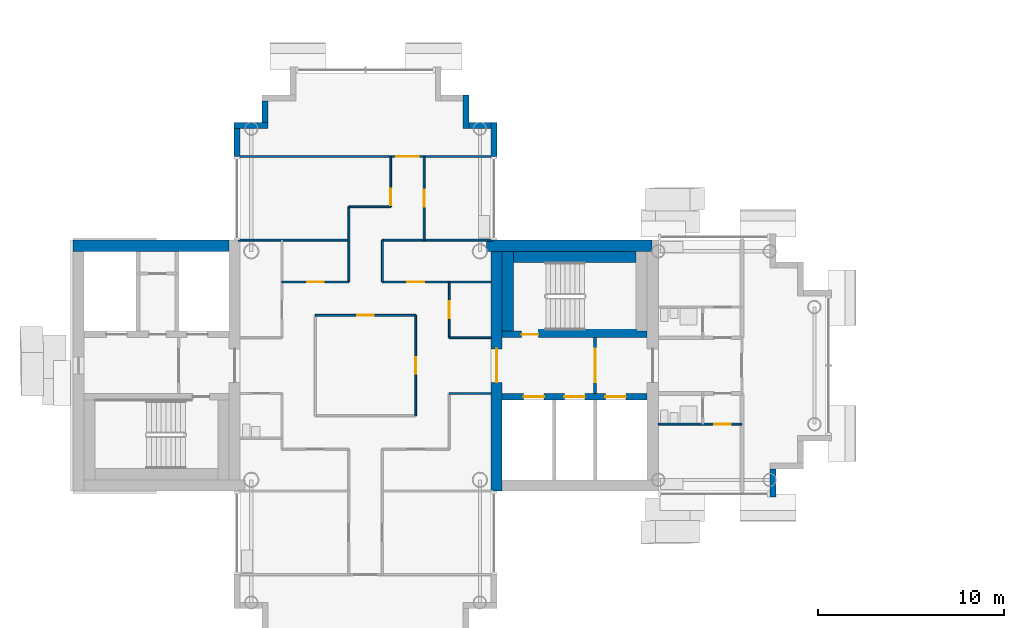
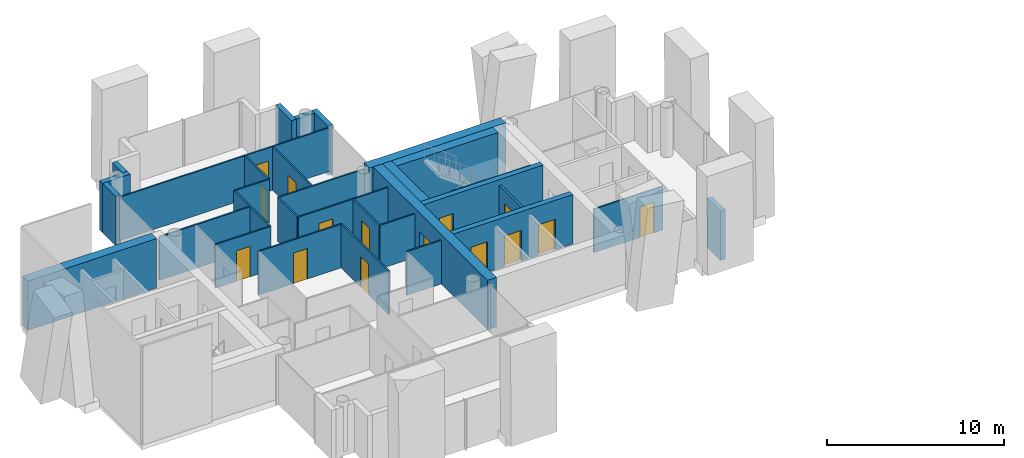
# One storey, part 7 of 18: 32 walls, 15 doors, 15 openings.
"""IFC4 building model written with IfcOpenShell, lengths in metres."""

from ifc_helpers import new_model, si_unit, direction, frame, frame_2d, origin, place, context, subcontext, project, spatial, rectangle, extrude, material, layer, layer_set, type_object, element, fill, save


model = new_model("IFC4")

# Units and contexts
model_context = context("Model", 3, precision=1e-05, world=origin(), true_north=direction((0.0, 1.0)))
body_context = subcontext(model_context, "Body", "Model", "MODEL_VIEW")
ifc_project = project(units=[si_unit("LENGTHUNIT", "METRE"), si_unit("AREAUNIT", "SQUARE_METRE"), si_unit("VOLUMEUNIT", "CUBIC_METRE"), si_unit("PLANEANGLEUNIT", "RADIAN"), si_unit("MASSUNIT", "GRAM", prefix="KILO")], contexts=[model_context])

# Site, building, storey
site_placement = place(None, origin())
site = spatial("IfcSite", under=ifc_project, at=site_placement, CompositionType="ELEMENT")
building_placement = place(site_placement, origin())
building = spatial("IfcBuilding", under=site, at=building_placement, Name="Ipe Terrace Towers", CompositionType="ELEMENT")
storey_placement = place(building_placement, frame((0.0, 0.0, 202.800048828125)))
storey = spatial("IfcBuildingStorey", under=building, at=storey_placement, Name="L56", CompositionType="ELEMENT", Elevation=202.800048828125)

# Walls
ifc_material_1 = material(Name="Concrete C40/50 with buff precast cladding", Category="concrete")
ifc_layer_1 = layer(ifc_material_1, 0.320068359375)
ifc_layer_set_1 = layer_set([ifc_layer_1], Name="BUFF CLADDING WALL 320")
wall_type_1 = type_object("IfcWallType", Name="BUFF CLADDING WALL 320", PredefinedType="STANDARD", material=ifc_layer_set_1)
wall_1_placement = place(storey_placement, frame((-14.090087890625, -7.070068359375, -0.300048828125), z_axis=(0.0, 0.0, 1.0), x_axis=(0.0, 1.0, 0.0)))
element("IfcWall", 1, at=wall_1_placement, inside=storey, type_object=wall_type_1, Name="T1-W-L56-17a wall", PredefinedType="STANDARD", context=body_context, shape_type="SweptSolid", body=[
    extrude(rectangle(XDim=1.5, YDim=0.320068359375, at=frame_2d((0.75, 0.0))), origin(), (0.0, 0.0, 1.0), 3.39990234375),
])
wall_2_placement = place(storey_placement, frame((-29.090087890625, 11.25, -0.300048828125), z_axis=(0.0, 0.0, 1.0), x_axis=(0.0, 1.0, 0.0)))
element("IfcWall", 2, at=wall_2_placement, inside=storey, type_object=wall_type_1, Name="T1-W-L56-29a wall", PredefinedType="STANDARD", context=body_context, shape_type="SweptSolid", body=[
    extrude(rectangle(XDim=1.820068359375, YDim=0.320068359375, at=frame_2d((0.91015625, 0.0))), origin(), (0.0, 0.0, 1.0), 3.39990234375),
])
wall_3_placement = place(storey_placement, frame((-29.25, 12.909912109375, -0.300048828125), z_axis=(0.0, 0.0, 1.0), x_axis=(-1.0, 0.0, 0.0)))
element("IfcWall", 3, at=wall_3_placement, inside=storey, type_object=wall_type_1, Name="T1-W-L56-30a wall", PredefinedType="STANDARD", context=body_context, shape_type="SweptSolid", body=[
    extrude(rectangle(XDim=1.179931640625, YDim=0.320068359375, at=frame_2d((0.58984375, 0.0))), origin(), (0.0, 0.0, 1.0), 3.39990234375),
])
wall_4_placement = place(storey_placement, frame((-30.590087890625, 12.75, -0.300048828125), z_axis=(0.0, 0.0, 1.0), x_axis=(0.0, 1.0, 0.0)))
element("IfcWall", 4, at=wall_4_placement, inside=storey, type_object=wall_type_1, Name="T1-W-L56-31a wall", PredefinedType="STANDARD", context=body_context, shape_type="SweptSolid", body=[
    extrude(rectangle(XDim=1.820068359375, YDim=0.320068359375, at=frame_2d((0.91015625, 0.0))), origin(), (0.0, 0.0, 1.0), 3.39990234375),
])
wall_5_placement = place(storey_placement, frame((-41.409912109375, 14.25, -0.300048828125), z_axis=(0.0, 0.0, 1.0), x_axis=(0.0, -1.0, 0.0)))
element("IfcWall", 5, at=wall_5_placement, inside=storey, type_object=wall_type_1, Name="T1-W-L56-37a wall", PredefinedType="STANDARD", context=body_context, shape_type="SweptSolid", body=[
    extrude(rectangle(XDim=1.179931640625, YDim=0.320068359375, at=frame_2d((0.58984375, 0.0))), origin(), (0.0, 0.0, 1.0), 3.39990234375),
])
wall_6_placement = place(storey_placement, frame((-41.25, 12.909912109375, -0.300048828125), z_axis=(0.0, 0.0, 1.0), x_axis=(-1.0, 0.0, 0.0)))
element("IfcWall", 6, at=wall_6_placement, inside=storey, type_object=wall_type_1, Name="T1-W-L56-38a wall", PredefinedType="STANDARD", context=body_context, shape_type="SweptSolid", body=[
    extrude(rectangle(XDim=1.820068359375, YDim=0.320068359375, at=frame_2d((0.91015625, 0.0))), origin(), (0.0, 0.0, 1.0), 3.39990234375),
])
wall_7_placement = place(storey_placement, frame((-42.909912109375, 12.75, -0.300048828125), z_axis=(0.0, 0.0, 1.0), x_axis=(0.0, -1.0, 0.0)))
element("IfcWall", 7, at=wall_7_placement, inside=storey, type_object=wall_type_1, Name="T1-W-L56-39a wall", PredefinedType="STANDARD", context=body_context, shape_type="SweptSolid", body=[
    extrude(rectangle(XDim=1.5, YDim=0.320068359375, at=frame_2d((0.75, 0.0))), origin(), (0.0, 0.0, 1.0), 3.39990234375),
])
ifc_material_2 = material(Name="Gypsum board partition", Category="plasterboard")
ifc_layer_2 = layer(ifc_material_2, 0.10009765625)
ifc_layer_set_2 = layer_set([ifc_layer_2], Name="Gypsum board partition 100 mm")
wall_type_2 = type_object("IfcWallType", Name="Gypsum board partition 100 mm", PredefinedType="PARTITIONING", material=ifc_layer_set_2)
wall_8_placement = place(storey_placement, frame((-36.89990234375, 4.5, 0.0), z_axis=(0.0, 0.0, 1.0), x_axis=(0.0, 1.0, 0.0)))
element("IfcWall", 8, at=wall_8_placement, inside=storey, type_object=wall_type_2, Name="Gypsum board partition T1 L56 W05", PredefinedType="PARTITIONING", context=body_context, shape_type="SweptSolid", body=[
    extrude(rectangle(XDim=4.050048828125, YDim=0.10009765625, at=frame_2d((2.02490234375, 0.0))), origin(), (0.0, 0.0, 1.0), 3.0),
])
wall_9_placement = place(storey_placement, frame((-35.10009765625, 4.5, 0.0), z_axis=(0.0, 0.0, 1.0), x_axis=(0.0, 1.0, 0.0)))
element("IfcWall", 9, at=wall_9_placement, inside=storey, type_object=wall_type_2, Name="Gypsum board partition T1 L56 W07", PredefinedType="PARTITIONING", context=body_context, shape_type="SweptSolid", body=[
    extrude(rectangle(XDim=2.25, YDim=0.10009765625, at=frame_2d((1.125, 0.0))), origin(), (0.0, 0.0, 1.0), 3.0),
])

# Wall, opening, door
wall_10_placement = place(storey_placement, frame((-34.64990234375, 8.550048828125, 0.0), z_axis=(0.0, 0.0, 1.0), x_axis=(0.0, 1.0, 0.0)))
wall_10 = element("IfcWall", 10, at=wall_10_placement, inside=storey, type_object=wall_type_2, Name="Gypsum board partition T1 L56 W08", PredefinedType="PARTITIONING", context=body_context, shape_type="SweptSolid", body=[
    extrude(rectangle(XDim=2.699951171875, YDim=0.10009765625, at=frame_2d((1.35009765625, 0.0))), origin(), (0.0, 0.0, 1.0), 3.0),
])
opening_1_placement = place(wall_10_placement, frame((0.070068359375, 0.0, 0.0)))
opening_1 = element("IfcOpeningElement", 11, at=opening_1_placement, cuts=wall_10, Name="Opening T1-Z4D-10", PredefinedType="OPENING", context=body_context, shape_type="SweptSolid", body=[
    extrude(rectangle(XDim=0.89990234375, YDim=2.10009765625, at=frame_2d((0.449951171875, 1.050048828125))), frame((0.0, 0.06005859375, 0.0), z_axis=(0.0, -1.0, 0.0), x_axis=(1.0, 0.0, 0.0)), (0.0, 0.0, 1.0), 0.1201171875),
])
ifc_material_3 = material(Name="Timber door leaf", Category="wood")
door_type_1 = type_object("IfcDoorType", Name="Lounge door 900 x 2100", OperationType="NOTDEFINED", PredefinedType="DOOR", material=ifc_material_3)
door_1_placement = place(opening_1_placement, origin())
door_1 = element("IfcDoor", 12, at=door_1_placement, inside=storey, type_object=door_type_1, Name="Lounge door T1-Z4D-10", OperationType="SINGLE_SWING_RIGHT", OverallHeight=2.10009765625, OverallWidth=0.89990234375, PredefinedType="DOOR", context=body_context, shape_type="SweptSolid", body=[
    extrude(rectangle(XDim=0.89990234375, YDim=2.10009765625, at=frame_2d((0.449951171875, 1.050048828125))), frame((0.0, 0.02490234375, 0.0), z_axis=(0.0, -1.0, 0.0), x_axis=(1.0, 0.0, 0.0)), (0.0, 0.0, 1.0), 0.050048828125),
])
fill(opening_1, door_1)

wall_11_placement = place(storey_placement, frame((-33.300048828125, -2.699951171875, 0.0), z_axis=(0.0, 0.0, 1.0), x_axis=(0.0, 1.0, 0.0)))
wall_11 = element("IfcWall", 13, at=wall_11_placement, inside=storey, type_object=wall_type_2, Name="Gypsum board partition T1 L56 W09", PredefinedType="PARTITIONING", context=body_context, shape_type="SweptSolid", body=[
    extrude(rectangle(XDim=5.39990234375, YDim=0.10009765625, at=frame_2d((2.699951171875, 0.0))), origin(), (0.0, 0.0, 1.0), 3.0),
])
opening_2_placement = place(wall_11_placement, frame((2.25, 0.0, 0.0)))
opening_2 = element("IfcOpeningElement", 14, at=opening_2_placement, cuts=wall_11, Name="Opening T1-Z4D-02", PredefinedType="OPENING", context=body_context, shape_type="SweptSolid", body=[
    extrude(rectangle(XDim=0.89990234375, YDim=2.10009765625, at=frame_2d((0.449951171875, 1.050048828125))), frame((0.0, 0.06005859375, 0.0), z_axis=(0.0, -1.0, 0.0), x_axis=(1.0, 0.0, 0.0)), (0.0, 0.0, 1.0), 0.1201171875),
])
door_2_placement = place(opening_2_placement, origin())
door_2 = element("IfcDoor", 15, at=door_2_placement, inside=storey, type_object=door_type_1, Name="Lounge door T1-Z4D-02", OperationType="SINGLE_SWING_LEFT", OverallHeight=2.10009765625, OverallWidth=0.89990234375, PredefinedType="DOOR", context=body_context, shape_type="SweptSolid", body=[
    extrude(rectangle(XDim=0.89990234375, YDim=2.10009765625, at=frame_2d((0.449951171875, 1.050048828125))), frame((0.0, 0.02490234375, 0.0), z_axis=(0.0, -1.0, 0.0), x_axis=(1.0, 0.0, 0.0)), (0.0, 0.0, 1.0), 0.050048828125),
])
fill(opening_2, door_2)

wall_12_placement = place(storey_placement, frame((-32.85009765625, 6.75, 0.0), z_axis=(0.0, 0.0, 1.0), x_axis=(0.0, 1.0, 0.0)))
wall_12 = element("IfcWall", 16, at=wall_12_placement, inside=storey, type_object=wall_type_2, Name="Gypsum board partition T1 L56 W10", PredefinedType="PARTITIONING", context=body_context, shape_type="SweptSolid", body=[
    extrude(rectangle(XDim=4.5, YDim=0.10009765625, at=frame_2d((2.25, 0.0))), origin(), (0.0, 0.0, 1.0), 3.0),
])
opening_3_placement = place(wall_12_placement, frame((1.800048828125, 0.0, 0.0)))
opening_3 = element("IfcOpeningElement", 17, at=opening_3_placement, cuts=wall_12, Name="Opening T1-Z4D-11", PredefinedType="OPENING", context=body_context, shape_type="SweptSolid", body=[
    extrude(rectangle(XDim=0.89990234375, YDim=2.10009765625, at=frame_2d((0.449951171875, 1.050048828125))), frame((0.0, 0.06005859375, 0.0), z_axis=(0.0, -1.0, 0.0), x_axis=(1.0, 0.0, 0.0)), (0.0, 0.0, 1.0), 0.1201171875),
])
door_3_placement = place(opening_3_placement, origin())
door_3 = element("IfcDoor", 18, at=door_3_placement, inside=storey, type_object=door_type_1, Name="Lounge door T1-Z4D-11", OperationType="SINGLE_SWING_RIGHT", OverallHeight=2.10009765625, OverallWidth=0.89990234375, PredefinedType="DOOR", context=body_context, shape_type="SweptSolid", body=[
    extrude(rectangle(XDim=0.89990234375, YDim=2.10009765625, at=frame_2d((0.449951171875, 1.050048828125))), frame((0.0, 0.02490234375, 0.0), z_axis=(0.0, -1.0, 0.0), x_axis=(1.0, 0.0, 0.0)), (0.0, 0.0, 1.0), 0.050048828125),
])
fill(opening_3, door_3)

wall_13_placement = place(storey_placement, frame((-31.5, 1.5, 0.0), z_axis=(0.0, 0.0, 1.0), x_axis=(0.0, 1.0, 0.0)))
wall_13 = element("IfcWall", 19, at=wall_13_placement, inside=storey, type_object=wall_type_2, Name="Gypsum board partition T1 L56 W12", PredefinedType="PARTITIONING", context=body_context, shape_type="SweptSolid", body=[
    extrude(rectangle(XDim=3.0, YDim=0.10009765625, at=frame_2d((1.5, 0.0))), origin(), (0.0, 0.0, 1.0), 3.0),
])
opening_4_placement = place(wall_13_placement, frame((1.050048828125, 0.0, 0.0)))
opening_4 = element("IfcOpeningElement", 20, at=opening_4_placement, cuts=wall_13, Name="Opening T1-Z4D-05", PredefinedType="OPENING", context=body_context, shape_type="SweptSolid", body=[
    extrude(rectangle(XDim=0.89990234375, YDim=2.10009765625, at=frame_2d((0.449951171875, 1.050048828125))), frame((0.0, 0.06005859375, 0.0), z_axis=(0.0, -1.0, 0.0), x_axis=(1.0, 0.0, 0.0)), (0.0, 0.0, 1.0), 0.1201171875),
])
door_4_placement = place(opening_4_placement, origin())
door_4 = element("IfcDoor", 21, at=door_4_placement, inside=storey, type_object=door_type_1, Name="Lounge door T1-Z4D-05", OperationType="SINGLE_SWING_RIGHT", OverallHeight=2.10009765625, OverallWidth=0.89990234375, PredefinedType="DOOR", context=body_context, shape_type="SweptSolid", body=[
    extrude(rectangle(XDim=0.89990234375, YDim=2.10009765625, at=frame_2d((0.449951171875, 1.050048828125))), frame((0.0, 0.02490234375, 0.0), z_axis=(0.0, -1.0, 0.0), x_axis=(1.0, 0.0, 0.0)), (0.0, 0.0, 1.0), 0.050048828125),
])
fill(opening_4, door_4)

wall_14_placement = place(storey_placement, frame((-20.25, -3.14990234375, 0.0), z_axis=(0.0, 0.0, 1.0), x_axis=(1.0, 0.0, 0.0)))
wall_14 = element("IfcWall", 22, at=wall_14_placement, inside=storey, type_object=wall_type_2, Name="Gypsum board partition T1 L56 W24", PredefinedType="PARTITIONING", context=body_context, shape_type="SweptSolid", body=[
    extrude(rectangle(XDim=4.5, YDim=0.10009765625, at=frame_2d((2.25, 0.0))), origin(), (0.0, 0.0, 1.0), 3.0),
])
opening_5_placement = place(wall_14_placement, frame((3.0, 0.0, 0.0)))
opening_5 = element("IfcOpeningElement", 23, at=opening_5_placement, cuts=wall_14, Name="Opening T1-Z4D-20", PredefinedType="OPENING", context=body_context, shape_type="SweptSolid", body=[
    extrude(rectangle(XDim=0.89990234375, YDim=2.10009765625, at=frame_2d((0.449951171875, 1.050048828125))), frame((0.0, 0.06005859375, 0.0), z_axis=(0.0, -1.0, 0.0), x_axis=(1.0, 0.0, 0.0)), (0.0, 0.0, 1.0), 0.1201171875),
])
ifc_material_4 = material(Name="Timber door leaf", Category="wood")
door_type_2 = type_object("IfcDoorType", Name="Bedroom door 900 x 2100", OperationType="NOTDEFINED", PredefinedType="DOOR", material=ifc_material_4)
door_5_placement = place(opening_5_placement, origin())
door_5 = element("IfcDoor", 24, at=door_5_placement, inside=storey, type_object=door_type_2, Name="Bedroom door T1-Z4D-20", OperationType="SINGLE_SWING_RIGHT", OverallHeight=2.10009765625, OverallWidth=0.89990234375, PredefinedType="DOOR", context=body_context, shape_type="SweptSolid", body=[
    extrude(rectangle(XDim=0.89990234375, YDim=2.10009765625, at=frame_2d((0.449951171875, 1.050048828125))), frame((0.0, 0.02490234375, 0.0), z_axis=(0.0, -1.0, 0.0), x_axis=(1.0, 0.0, 0.0)), (0.0, 0.0, 1.0), 0.050048828125),
])
fill(opening_5, door_5)

# Walls
for number, where, z_axis, x_axis, name in (
    (25, (-31.5, -1.5, 0.0), (0.0, 0.0, 1.0), (1.0, 0.0, 0.0), "Gypsum board partition T1 L56 W27"),
    (26, (-31.5, 1.5, 0.0), (0.0, 0.0, 1.0), (1.0, 0.0, 0.0), "Gypsum board partition T1 L56 W30"),
):
    element("IfcWall", number, at=place(storey_placement, frame(where, z_axis=z_axis, x_axis=x_axis)), inside=storey, type_object=wall_type_2, Name=name, PredefinedType="PARTITIONING", context=body_context, shape_type="SweptSolid", body=[
        extrude(rectangle(XDim=2.25, YDim=0.10009765625, at=frame_2d((1.125, 0.0))), origin(), (0.0, 0.0, 1.0), 3.0),
    ])

# Wall, opening, door
wall_15_placement = place(storey_placement, frame((-38.699951171875, 2.699951171875, 0.0), z_axis=(0.0, 0.0, 1.0), x_axis=(1.0, 0.0, 0.0)))
wall_15 = element("IfcWall", 27, at=wall_15_placement, inside=storey, type_object=wall_type_2, Name="Gypsum board partition T1 L56 W32", PredefinedType="PARTITIONING", context=body_context, shape_type="SweptSolid", body=[
    extrude(rectangle(XDim=5.39990234375, YDim=0.10009765625, at=frame_2d((2.699951171875, 0.0))), origin(), (0.0, 0.0, 1.0), 3.0),
])
opening_6_placement = place(wall_15_placement, frame((2.25, 0.0, 0.0)))
opening_6 = element("IfcOpeningElement", 28, at=opening_6_placement, cuts=wall_15, Name="Opening T1-Z4D-01", PredefinedType="OPENING", context=body_context, shape_type="SweptSolid", body=[
    extrude(rectangle(XDim=0.89990234375, YDim=2.10009765625, at=frame_2d((0.449951171875, 1.050048828125))), frame((0.0, 0.06005859375, 0.0), z_axis=(0.0, -1.0, 0.0), x_axis=(1.0, 0.0, 0.0)), (0.0, 0.0, 1.0), 0.1201171875),
])
door_6_placement = place(opening_6_placement, origin())
door_6 = element("IfcDoor", 29, at=door_6_placement, inside=storey, type_object=door_type_1, Name="Lounge door T1-Z4D-01", OperationType="SINGLE_SWING_RIGHT", OverallHeight=2.10009765625, OverallWidth=0.89990234375, PredefinedType="DOOR", context=body_context, shape_type="SweptSolid", body=[
    extrude(rectangle(XDim=0.89990234375, YDim=2.10009765625, at=frame_2d((0.449951171875, 1.050048828125))), frame((0.0, 0.02490234375, 0.0), z_axis=(0.0, -1.0, 0.0), x_axis=(1.0, 0.0, 0.0)), (0.0, 0.0, 1.0), 0.050048828125),
])
fill(opening_6, door_6)

wall_16_placement = place(storey_placement, frame((-40.5, 4.5, 0.0), z_axis=(0.0, 0.0, 1.0), x_axis=(1.0, 0.0, 0.0)))
wall_16 = element("IfcWall", 30, at=wall_16_placement, inside=storey, type_object=wall_type_2, Name="Gypsum board partition T1 L56 W34", PredefinedType="PARTITIONING", context=body_context, shape_type="SweptSolid", body=[
    extrude(rectangle(XDim=3.60009765625, YDim=0.10009765625, at=frame_2d((1.800048828125, 0.0))), origin(), (0.0, 0.0, 1.0), 3.0),
])
opening_7_placement = place(wall_16_placement, frame((1.35009765625, 0.0, 0.0)))
opening_7 = element("IfcOpeningElement", 31, at=opening_7_placement, cuts=wall_16, Name="Opening T1-Z4D-06", PredefinedType="OPENING", context=body_context, shape_type="SweptSolid", body=[
    extrude(rectangle(XDim=0.89990234375, YDim=2.10009765625, at=frame_2d((0.449951171875, 1.050048828125))), frame((0.0, 0.06005859375, 0.0), z_axis=(0.0, -1.0, 0.0), x_axis=(1.0, 0.0, 0.0)), (0.0, 0.0, 1.0), 0.1201171875),
])
door_7_placement = place(opening_7_placement, origin())
door_7 = element("IfcDoor", 32, at=door_7_placement, inside=storey, type_object=door_type_1, Name="Lounge door T1-Z4D-06", OperationType="SINGLE_SWING_RIGHT", OverallHeight=2.10009765625, OverallWidth=0.89990234375, PredefinedType="DOOR", context=body_context, shape_type="SweptSolid", body=[
    extrude(rectangle(XDim=0.89990234375, YDim=2.10009765625, at=frame_2d((0.449951171875, 1.050048828125))), frame((0.0, 0.02490234375, 0.0), z_axis=(0.0, -1.0, 0.0), x_axis=(1.0, 0.0, 0.0)), (0.0, 0.0, 1.0), 0.050048828125),
])
fill(opening_7, door_7)

wall_17_placement = place(storey_placement, frame((-35.10009765625, 4.5, 0.0), z_axis=(0.0, 0.0, 1.0), x_axis=(1.0, 0.0, 0.0)))
wall_17 = element("IfcWall", 33, at=wall_17_placement, inside=storey, type_object=wall_type_2, Name="Gypsum board partition T1 L56 W35", PredefinedType="PARTITIONING", context=body_context, shape_type="SweptSolid", body=[
    extrude(rectangle(XDim=5.85009765625, YDim=0.10009765625, at=frame_2d((2.925048828125, 0.0))), origin(), (0.0, 0.0, 1.0), 3.0),
])
opening_8_placement = place(wall_17_placement, frame((1.35009765625, 0.0, 0.0)))
opening_8 = element("IfcOpeningElement", 34, at=opening_8_placement, cuts=wall_17, Name="Opening T1-Z4D-04", PredefinedType="OPENING", context=body_context, shape_type="SweptSolid", body=[
    extrude(rectangle(XDim=0.89990234375, YDim=2.10009765625, at=frame_2d((0.449951171875, 1.050048828125))), frame((0.0, 0.06005859375, 0.0), z_axis=(0.0, -1.0, 0.0), x_axis=(1.0, 0.0, 0.0)), (0.0, 0.0, 1.0), 0.1201171875),
])
door_8_placement = place(opening_8_placement, origin())
door_8 = element("IfcDoor", 35, at=door_8_placement, inside=storey, type_object=door_type_1, Name="Lounge door T1-Z4D-04", OperationType="SINGLE_SWING_RIGHT", OverallHeight=2.10009765625, OverallWidth=0.89990234375, PredefinedType="DOOR", context=body_context, shape_type="SweptSolid", body=[
    extrude(rectangle(XDim=0.89990234375, YDim=2.10009765625, at=frame_2d((0.449951171875, 1.050048828125))), frame((0.0, 0.02490234375, 0.0), z_axis=(0.0, -1.0, 0.0), x_axis=(1.0, 0.0, 0.0)), (0.0, 0.0, 1.0), 0.050048828125),
])
fill(opening_8, door_8)

# Walls
for number, where, z_axis, x_axis, name in (
    (36, (-42.85009765625, 6.75, 0.0), (0.0, 0.0, 1.0), (1.0, 0.0, 0.0), "Gypsum board partition T1 L56 W36"),
    (37, (-35.10009765625, 6.75, 0.0), (0.0, 0.0, 1.0), (1.0, 0.0, 0.0), "Gypsum board partition T1 L56 W37"),
):
    element("IfcWall", number, at=place(storey_placement, frame(where, z_axis=z_axis, x_axis=x_axis)), inside=storey, type_object=wall_type_2, Name=name, PredefinedType="PARTITIONING", context=body_context, shape_type="SweptSolid", body=[
        extrude(rectangle(XDim=5.9501953125, YDim=0.10009765625, at=frame_2d((2.97509765625, 0.0))), origin(), (0.0, 0.0, 1.0), 3.0),
    ])
wall_18_placement = place(storey_placement, frame((-36.89990234375, 8.550048828125, 0.0), z_axis=(0.0, 0.0, 1.0), x_axis=(1.0, 0.0, 0.0)))
element("IfcWall", 38, at=wall_18_placement, inside=storey, type_object=wall_type_2, Name="Gypsum board partition T1 L56 W38", PredefinedType="PARTITIONING", context=body_context, shape_type="SweptSolid", body=[
    extrude(rectangle(XDim=2.25, YDim=0.10009765625, at=frame_2d((1.125, 0.0))), origin(), (0.0, 0.0, 1.0), 3.0),
])

# Wall, opening, door
wall_19_placement = place(storey_placement, frame((-42.85009765625, 11.25, 0.0), z_axis=(0.0, 0.0, 1.0), x_axis=(1.0, 0.0, 0.0)))
wall_19 = element("IfcWall", 39, at=wall_19_placement, inside=storey, type_object=wall_type_2, Name="Gypsum board partition T1 L56 W39", PredefinedType="PARTITIONING", context=body_context, shape_type="SweptSolid", body=[
    extrude(rectangle(XDim=13.7001953125, YDim=0.10009765625, at=frame_2d((6.85009765625, 0.0))), origin(), (0.0, 0.0, 1.0), 3.0),
])
opening_9_placement = place(wall_19_placement, frame((8.5, 0.0, 0.0)))
opening_9 = element("IfcOpeningElement", 40, at=opening_9_placement, cuts=wall_19, Name="Opening T1-Z4D-12", PredefinedType="OPENING", context=body_context, shape_type="SweptSolid", body=[
    extrude(rectangle(XDim=1.199951171875, YDim=2.10009765625, at=frame_2d((0.60009765625, 1.050048828125))), frame((0.0, 0.06005859375, 0.0), z_axis=(0.0, -1.0, 0.0), x_axis=(1.0, 0.0, 0.0)), (0.0, 0.0, 1.0), 0.1201171875),
])
ifc_material_5 = material(Name="Timber door leaf", Category="wood")
door_type_3 = type_object("IfcDoorType", Name="Lounge door 1200 x 2100", OperationType="NOTDEFINED", PredefinedType="DOOR", material=ifc_material_5)
door_9_placement = place(opening_9_placement, origin())
door_9 = element("IfcDoor", 41, at=door_9_placement, inside=storey, type_object=door_type_3, Name="Lounge door T1-Z4D-12", OperationType="SINGLE_SWING_LEFT", OverallHeight=2.10009765625, OverallWidth=1.199951171875, PredefinedType="DOOR", context=body_context, shape_type="SweptSolid", body=[
    extrude(rectangle(XDim=1.199951171875, YDim=2.10009765625, at=frame_2d((0.60009765625, 1.050048828125))), frame((0.0, 0.02490234375, 0.0), z_axis=(0.0, -1.0, 0.0), x_axis=(1.0, 0.0, 0.0)), (0.0, 0.0, 1.0), 0.050048828125),
])
fill(opening_9, door_9)

ifc_material_6 = material(Name="Gypsum board partition", Category="plasterboard")
ifc_layer_3 = layer(ifc_material_6, 0.14990234375)
ifc_layer_set_3 = layer_set([ifc_layer_3], Name="Gypsum board partition 150 mm")
wall_type_3 = type_object("IfcWallType", Name="Gypsum board partition 150 mm", PredefinedType="PARTITIONING", material=ifc_layer_set_3)
wall_20_placement = place(storey_placement, frame((-23.64990234375, -1.5, 0.0), z_axis=(0.0, 0.0, 1.0), x_axis=(0.0, 1.0, 0.0)))
wall_20 = element("IfcWall", 42, at=wall_20_placement, inside=storey, type_object=wall_type_3, Name="Gypsum board partition T1 L56 t1c1-lobby-wall", PredefinedType="PARTITIONING", context=body_context, shape_type="SweptSolid", body=[
    extrude(rectangle(XDim=3.0, YDim=0.14990234375, at=frame_2d((1.5, 0.0))), origin(), (0.0, 0.0, 1.0), 3.0),
])
opening_10_placement = place(wall_20_placement, frame((0.60009765625, 0.0, 0.0)))
opening_10 = element("IfcOpeningElement", 43, at=opening_10_placement, cuts=wall_20, Name="Opening T1C1-VD", PredefinedType="OPENING", context=body_context, shape_type="SweptSolid", body=[
    extrude(rectangle(XDim=1.800048828125, YDim=2.10009765625, at=frame_2d((0.89990234375, 1.050048828125))), frame((0.0, 0.0849609375, 0.0), z_axis=(0.0, -1.0, 0.0), x_axis=(1.0, 0.0, 0.0)), (0.0, 0.0, 1.0), 0.169921875),
])
ifc_material_7 = material(Name="Fire-rated timber door leaf", Category="wood")
door_type_4 = type_object("IfcDoorType", Name="Lobby door 1800 x 2100 FD60", OperationType="NOTDEFINED", PredefinedType="DOOR", material=ifc_material_7)
door_10_placement = place(opening_10_placement, origin())
door_10 = element("IfcDoor", 44, at=door_10_placement, inside=storey, type_object=door_type_4, Name="Lobby door T1C1-VD", OperationType="SINGLE_SWING_LEFT", OverallHeight=2.10009765625, OverallWidth=1.800048828125, PredefinedType="DOOR", context=body_context, shape_type="SweptSolid", body=[
    extrude(rectangle(XDim=1.800048828125, YDim=2.10009765625, at=frame_2d((0.89990234375, 1.050048828125))), frame((0.0, 0.02490234375, 0.0), z_axis=(0.0, -1.0, 0.0), x_axis=(1.0, 0.0, 0.0)), (0.0, 0.0, 1.0), 0.050048828125),
])
fill(opening_10, door_10)

# Wall, openings, doors
ifc_material_8 = material(Name="Concrete C40/50", Category="concrete")
ifc_layer_4 = layer(ifc_material_8, 0.35009765625)
ifc_layer_set_4 = layer_set([ifc_layer_4], Name="RW350 CORE SPINE WALL 350 C40-50")
wall_type_4 = type_object("IfcWallType", Name="RW350 CORE SPINE WALL 350 C40-50", PredefinedType="SHEAR", material=ifc_layer_set_4)
wall_21_placement = place(storey_placement, frame((-28.64990234375, -1.675048828125, 0.0), z_axis=(0.0, 0.0, 1.0), x_axis=(1.0, 0.0, 0.0)))
wall_21 = element("IfcWall", 45, at=wall_21_placement, inside=storey, type_object=wall_type_4, Name="Core spine wall T1-C1-Z4-SW1", PredefinedType="SHEAR", context=body_context, shape_type="SweptSolid", body=[
    extrude(rectangle(XDim=7.7998046875, YDim=0.35009765625, at=frame_2d((3.89990234375, 0.0))), origin(), (0.0, 0.0, 1.0), 3.39990234375),
])
opening_11_placement = place(wall_21_placement, frame((1.14990234375, 0.0, 0.0)))
opening_11 = element("IfcOpeningElement", 46, at=opening_11_placement, cuts=wall_21, Name="Opening T1C1-LD1", PredefinedType="OPENING", context=body_context, shape_type="SweptSolid", body=[
    extrude(rectangle(XDim=1.10009765625, YDim=2.10009765625, at=frame_2d((0.550048828125, 1.050048828125))), frame((0.0, 0.18505859375, 0.0), z_axis=(0.0, -1.0, 0.0), x_axis=(1.0, 0.0, 0.0)), (0.0, 0.0, 1.0), 0.3701171875),
])
opening_12_placement = place(wall_21_placement, frame((3.35009765625, 0.0, 0.0)))
opening_12 = element("IfcOpeningElement", 47, at=opening_12_placement, cuts=wall_21, Name="Opening T1C1-LD2", PredefinedType="OPENING", context=body_context, shape_type="SweptSolid", body=[
    extrude(rectangle(XDim=1.10009765625, YDim=2.10009765625, at=frame_2d((0.550048828125, 1.050048828125))), frame((0.0, 0.18505859375, 0.0), z_axis=(0.0, -1.0, 0.0), x_axis=(1.0, 0.0, 0.0)), (0.0, 0.0, 1.0), 0.3701171875),
])
opening_13_placement = place(wall_21_placement, frame((5.550048828125, 0.0, 0.0)))
opening_13 = element("IfcOpeningElement", 48, at=opening_13_placement, cuts=wall_21, Name="Opening T1C1-LD3", PredefinedType="OPENING", context=body_context, shape_type="SweptSolid", body=[
    extrude(rectangle(XDim=1.10009765625, YDim=2.10009765625, at=frame_2d((0.550048828125, 1.050048828125))), frame((0.0, 0.18505859375, 0.0), z_axis=(0.0, -1.0, 0.0), x_axis=(1.0, 0.0, 0.0)), (0.0, 0.0, 1.0), 0.3701171875),
])
ifc_material_9 = material(Name="Fire-rated timber door leaf", Category="wood")
door_type_5 = type_object("IfcDoorType", Name="Sliding door 1100 x 2100 FD60", OperationType="SLIDING_TO_LEFT", PredefinedType="DOOR", material=ifc_material_9)
door_11_placement = place(opening_11_placement, origin())
door_11 = element("IfcDoor", 49, at=door_11_placement, inside=storey, type_object=door_type_5, Name="Sliding door T1C1-LD1", OperationType="SLIDING_TO_LEFT", OverallHeight=2.10009765625, OverallWidth=1.10009765625, PredefinedType="DOOR", context=body_context, shape_type="SweptSolid", body=[
    extrude(rectangle(XDim=1.10009765625, YDim=2.10009765625, at=frame_2d((0.550048828125, 1.050048828125))), frame((0.0, 0.02490234375, 0.0), z_axis=(0.0, -1.0, 0.0), x_axis=(1.0, 0.0, 0.0)), (0.0, 0.0, 1.0), 0.050048828125),
])
fill(opening_11, door_11)
door_12_placement = place(opening_12_placement, origin())
door_12 = element("IfcDoor", 50, at=door_12_placement, inside=storey, type_object=door_type_5, Name="Sliding door T1C1-LD2", OperationType="SLIDING_TO_LEFT", OverallHeight=2.10009765625, OverallWidth=1.10009765625, PredefinedType="DOOR", context=body_context, shape_type="SweptSolid", body=[
    extrude(rectangle(XDim=1.10009765625, YDim=2.10009765625, at=frame_2d((0.550048828125, 1.050048828125))), frame((0.0, 0.02490234375, 0.0), z_axis=(0.0, -1.0, 0.0), x_axis=(1.0, 0.0, 0.0)), (0.0, 0.0, 1.0), 0.050048828125),
])
fill(opening_12, door_12)
door_13_placement = place(opening_13_placement, origin())
door_13 = element("IfcDoor", 51, at=door_13_placement, inside=storey, type_object=door_type_5, Name="Sliding door T1C1-LD3", OperationType="SLIDING_TO_LEFT", OverallHeight=2.10009765625, OverallWidth=1.10009765625, PredefinedType="DOOR", context=body_context, shape_type="SweptSolid", body=[
    extrude(rectangle(XDim=1.10009765625, YDim=2.10009765625, at=frame_2d((0.550048828125, 1.050048828125))), frame((0.0, 0.02490234375, 0.0), z_axis=(0.0, -1.0, 0.0), x_axis=(1.0, 0.0, 0.0)), (0.0, 0.0, 1.0), 0.050048828125),
])
fill(opening_13, door_13)

# Wall, opening, door
wall_22_placement = place(storey_placement, frame((-28.64990234375, 1.675048828125, 0.0), z_axis=(0.0, 0.0, 1.0), x_axis=(1.0, 0.0, 0.0)))
wall_22 = element("IfcWall", 52, at=wall_22_placement, inside=storey, type_object=wall_type_4, Name="Core spine wall T1-C1-Z4-SW2", PredefinedType="SHEAR", context=body_context, shape_type="SweptSolid", body=[
    extrude(rectangle(XDim=7.7998046875, YDim=0.35009765625, at=frame_2d((3.89990234375, 0.0))), origin(), (0.0, 0.0, 1.0), 3.39990234375),
])
opening_14_placement = place(wall_22_placement, frame((1.050048828125, 0.0, 0.0)))
opening_14 = element("IfcOpeningElement", 53, at=opening_14_placement, cuts=wall_22, Name="Opening T1C1-SD", PredefinedType="OPENING", context=body_context, shape_type="SweptSolid", body=[
    extrude(rectangle(XDim=0.89990234375, YDim=2.10009765625, at=frame_2d((0.449951171875, 1.050048828125))), frame((0.0, 0.18505859375, 0.0), z_axis=(0.0, -1.0, 0.0), x_axis=(1.0, 0.0, 0.0)), (0.0, 0.0, 1.0), 0.3701171875),
])
ifc_material_10 = material(Name="Fire-rated timber door leaf", Category="wood")
door_type_6 = type_object("IfcDoorType", Name="Stair door 900 x 2100 FD60", OperationType="NOTDEFINED", PredefinedType="DOOR", material=ifc_material_10)
door_14_placement = place(opening_14_placement, origin())
door_14 = element("IfcDoor", 54, at=door_14_placement, inside=storey, type_object=door_type_6, Name="Stair door T1C1-SD", OperationType="SINGLE_SWING_LEFT", OverallHeight=2.10009765625, OverallWidth=0.89990234375, PredefinedType="DOOR", context=body_context, shape_type="SweptSolid", body=[
    extrude(rectangle(XDim=0.89990234375, YDim=2.10009765625, at=frame_2d((0.449951171875, 1.050048828125))), frame((0.0, 0.02490234375, 0.0), z_axis=(0.0, -1.0, 0.0), x_axis=(1.0, 0.0, 0.0)), (0.0, 0.0, 1.0), 0.050048828125),
])
fill(opening_14, door_14)

# Walls
ifc_material_11 = material(Name="Concrete C40/50", Category="concrete")
ifc_layer_5 = layer(ifc_material_11, 0.050048828125)
ifc_layer_set_5 = layer_set([ifc_layer_5], Name="RW50 CORE INFILL WALL 50 C40-50")
wall_type_5 = type_object("IfcWallType", Name="RW50 CORE INFILL WALL 50 C40-50", PredefinedType="SHEAR", material=ifc_layer_set_5)
wall_23_placement = place(storey_placement, frame((-26.64990234375, 1.875, 0.0), z_axis=(0.0, 0.0, 1.0), x_axis=(1.0, 0.0, 0.0)))
element("IfcWall", 55, at=wall_23_placement, inside=storey, type_object=wall_type_5, Name="Core infill wall T1-C1-spine-b", PredefinedType="SHEAR", context=body_context, shape_type="SweptSolid", body=[
    extrude(rectangle(XDim=5.199951171875, YDim=0.050048828125, at=frame_2d((2.60009765625, 0.0))), origin(), (0.0, 0.0, 1.0), 3.39990234375),
])
ifc_material_12 = material(Name="Concrete C40/50", Category="concrete")
ifc_layer_6 = layer(ifc_material_12, 0.60009765625)
ifc_layer_set_6 = layer_set([ifc_layer_6], Name="RW600 CORE INFILL WALL 600 C40-50")
wall_type_6 = type_object("IfcWallType", Name="RW600 CORE INFILL WALL 600 C40-50", PredefinedType="SHEAR", material=ifc_layer_set_6)
wall_24_placement = place(storey_placement, frame((-28.050048828125, 5.85009765625, 0.0), z_axis=(0.0, 0.0, 1.0), x_axis=(1.0, 0.0, 0.0)))
element("IfcWall", 56, at=wall_24_placement, inside=storey, type_object=wall_type_6, Name="Core infill wall T1-C1-back", PredefinedType="SHEAR", context=body_context, shape_type="SweptSolid", body=[
    extrude(rectangle(XDim=6.60009765625, YDim=0.60009765625, at=frame_2d((3.300048828125, 0.0))), origin(), (0.0, 0.0, 1.0), 3.39990234375),
])
wall_25_placement = place(storey_placement, frame((-28.35009765625, 1.85009765625, 0.0), z_axis=(0.0, 0.0, 1.0), x_axis=(0.0, 1.0, 0.0)))
element("IfcWall", 57, at=wall_25_placement, inside=storey, type_object=wall_type_6, Name="Core infill wall T1-C1-near", PredefinedType="SHEAR", context=body_context, shape_type="SweptSolid", body=[
    extrude(rectangle(XDim=4.2998046875, YDim=0.60009765625, at=frame_2d((2.14990234375, 0.0))), origin(), (0.0, 0.0, 1.0), 3.39990234375),
])
ifc_material_13 = material(Name="Concrete C40/50", Category="concrete")
ifc_layer_7 = layer(ifc_material_13, 0.60009765625)
ifc_layer_set_7 = layer_set([ifc_layer_7], Name="RW600 CORE WALL 600 C40-50")
wall_type_7 = type_object("IfcWallType", Name="RW600 CORE WALL 600 C40-50", PredefinedType="SHEAR", material=ifc_layer_set_7)
wall_26_placement = place(storey_placement, frame((-20.60205078125, 6.449951171875, 0.0), z_axis=(0.0, 0.0, 1.0), x_axis=(-1.0, 0.0, 0.0)))
element("IfcWall", 58, at=wall_26_placement, inside=storey, type_object=wall_type_7, Name="Core wall T1-C1-Z4-W03", PredefinedType="SHEAR", context=body_context, shape_type="SweptSolid", body=[
    extrude(rectangle(XDim=8.89599609375, YDim=0.60009765625, at=frame_2d((4.447998046875, 0.0))), origin(), (0.0, 0.0, 1.0), 3.39990234375),
])

# Wall, opening, door
wall_27_placement = place(storey_placement, frame((-28.949951171875, 6.14990234375, 0.0), z_axis=(0.0, 0.0, 1.0), x_axis=(0.0, -1.0, 0.0)))
wall_27 = element("IfcWall", 59, at=wall_27_placement, inside=storey, type_object=wall_type_7, Name="Core wall T1-C1-Z4-W04", PredefinedType="SHEAR", context=body_context, shape_type="SweptSolid", body=[
    extrude(rectangle(XDim=12.89990234375, YDim=0.60009765625, at=frame_2d((6.449951171875, 0.0))), origin(), (0.0, 0.0, 1.0), 3.39990234375),
])
opening_15_placement = place(wall_27_placement, frame((5.25, 0.0, 0.0)))
opening_15 = element("IfcOpeningElement", 60, at=opening_15_placement, cuts=wall_27, Name="Opening T1C1-ND", PredefinedType="OPENING", context=body_context, shape_type="SweptSolid", body=[
    extrude(rectangle(XDim=1.800048828125, YDim=2.10009765625, at=frame_2d((0.89990234375, 1.050048828125))), frame((0.0, 0.31005859375, 0.0), z_axis=(0.0, -1.0, 0.0), x_axis=(1.0, 0.0, 0.0)), (0.0, 0.0, 1.0), 0.6201171875),
])
ifc_material_14 = material(Name="Fire-rated timber door leaf", Category="wood")
door_type_7 = type_object("IfcDoorType", Name="Fire door 1800 x 2100 FD30S", OperationType="NOTDEFINED", PredefinedType="DOOR", material=ifc_material_14)
door_15_placement = place(opening_15_placement, origin())
door_15 = element("IfcDoor", 61, at=door_15_placement, inside=storey, type_object=door_type_7, Name="Fire door T1C1-ND", OperationType="SINGLE_SWING_LEFT", OverallHeight=2.10009765625, OverallWidth=1.800048828125, PredefinedType="DOOR", context=body_context, shape_type="SweptSolid", body=[
    extrude(rectangle(XDim=1.800048828125, YDim=2.10009765625, at=frame_2d((0.89990234375, 1.050048828125))), frame((0.0, 0.02490234375, 0.0), z_axis=(0.0, -1.0, 0.0), x_axis=(1.0, 0.0, 0.0)), (0.0, 0.0, 1.0), 0.050048828125),
])
fill(opening_15, door_15)

# Wall
wall_28_placement = place(storey_placement, frame((-43.35009765625, 6.449951171875, 0.0), z_axis=(0.0, 0.0, 1.0), x_axis=(-1.0, 0.0, 0.0)))
element("IfcWall", 62, at=wall_28_placement, inside=storey, type_object=wall_type_7, Name="Core wall T1-C2-Z4-W03", PredefinedType="SHEAR", context=body_context, shape_type="SweptSolid", body=[
    extrude(rectangle(XDim=8.39990234375, YDim=0.60009765625, at=frame_2d((4.199951171875, 0.0))), origin(), (0.0, 0.0, 1.0), 3.39990234375),
])

save(model, "model.ifc")
